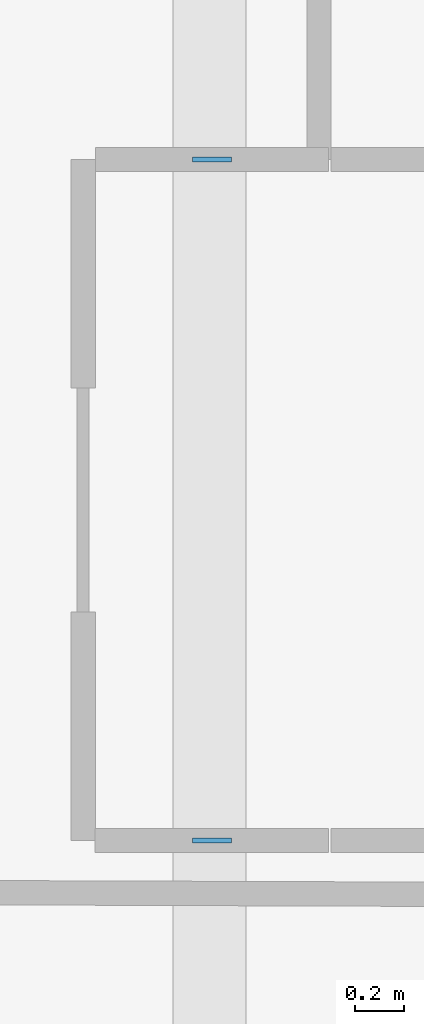
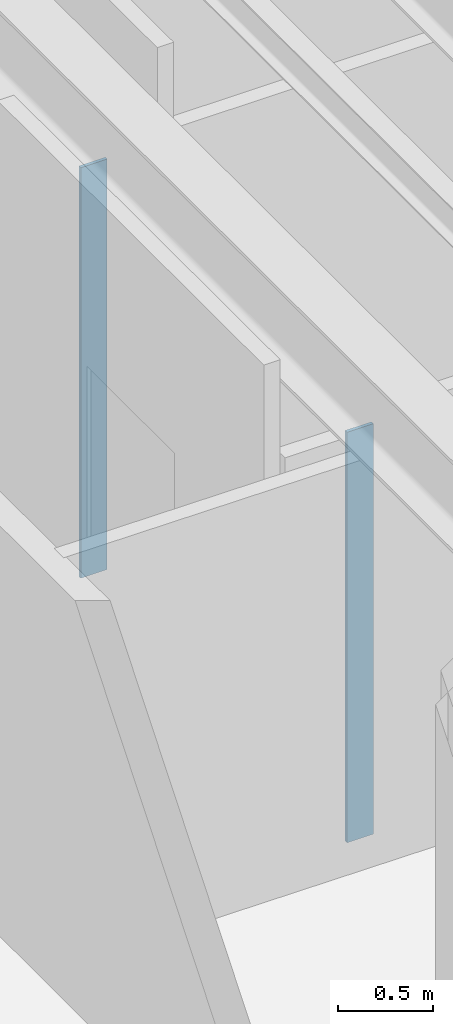
# One storey, part 4 of 11: 2 plates.
"""IFC4 building model written with IfcOpenShell, lengths in metres."""

from ifc_helpers import new_model, si_unit, direction, frame, origin, origin_2d, place, context, subcontext, project, spatial, rectangle, extrude, material, layer, layer_set, type_object, element, save


model = new_model("IFC4")

# Units and contexts
model_context = context("Model", 3, precision=1e-05, world=origin(), true_north=direction((0.0, 1.0)))
body_context = subcontext(model_context, "Body", "Model", "MODEL_VIEW")
ifc_project = project(units=[si_unit("LENGTHUNIT", "METRE"), si_unit("AREAUNIT", "SQUARE_METRE"), si_unit("VOLUMEUNIT", "CUBIC_METRE"), si_unit("PLANEANGLEUNIT", "RADIAN"), si_unit("MASSUNIT", "GRAM", prefix="KILO")], contexts=[model_context])

# Site, building, storey
site_placement = place(None, origin())
site = spatial("IfcSite", under=ifc_project, at=site_placement, CompositionType="ELEMENT")
building_placement = place(site_placement, origin())
building = spatial("IfcBuilding", under=site, at=building_placement, Name="Miruveldt Soraemaru", CompositionType="ELEMENT")
storey_placement = place(building_placement, frame((0.0, 0.0, 100.39990234375)))
storey = spatial("IfcBuildingStorey", under=building, at=storey_placement, Name="L27", CompositionType="ELEMENT", Elevation=100.39990234375)

# Plates
ifc_material = material(Name="Anodised aluminium EN AW-6063 T6", Category="aluminium")
ifc_layer = layer(ifc_material, 0.02001953125, Name="Anodised aluminium EN AW-6063 T6", Category="aluminium")
ifc_layer_set = layer_set([ifc_layer], Name="Anodised aluminium EN AW-6063 T6")
plate_type = type_object("IfcPlateType", Name="PLT-PART-TRIM", PredefinedType="SHEET", material=ifc_layer_set)
for number, where, z_axis, x_axis, name in (
    (1, (56.610107421875, 46.830078125, 0.0), (0.0, 0.0, 1.0), (-1.0, 0.0, 0.0), "L27 Partition Step Corner Trim Plate 042"),
    (2, (56.610107421875, 44.030029296875, 0.0), (0.0, 0.0, 1.0), (1.0, 0.0, 0.0), "L27 Partition Step Corner Trim Plate 044"),
):
    element("IfcPlate", number, at=place(storey_placement, frame(where, z_axis=z_axis, x_axis=x_axis)), inside=storey, type_object=plate_type, Name=name, PredefinedType="SHEET", context=body_context, shape_type="SweptSolid", body=[
        extrude(rectangle(XDim=0.159912109375, YDim=0.02001953125, at=origin_2d()), origin(), (0.0, 0.0, 1.0), 2.635009765625),
    ])

save(model, "model.ifc")
